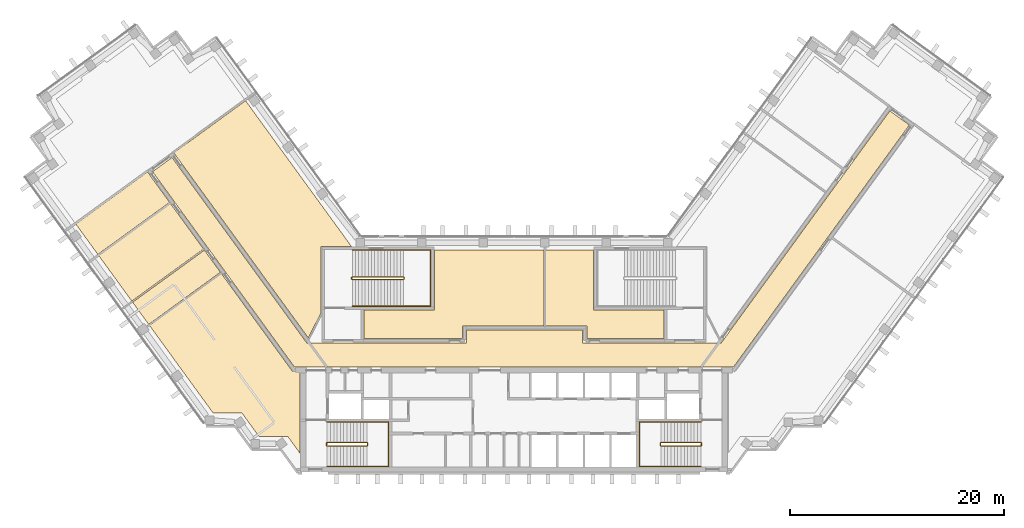
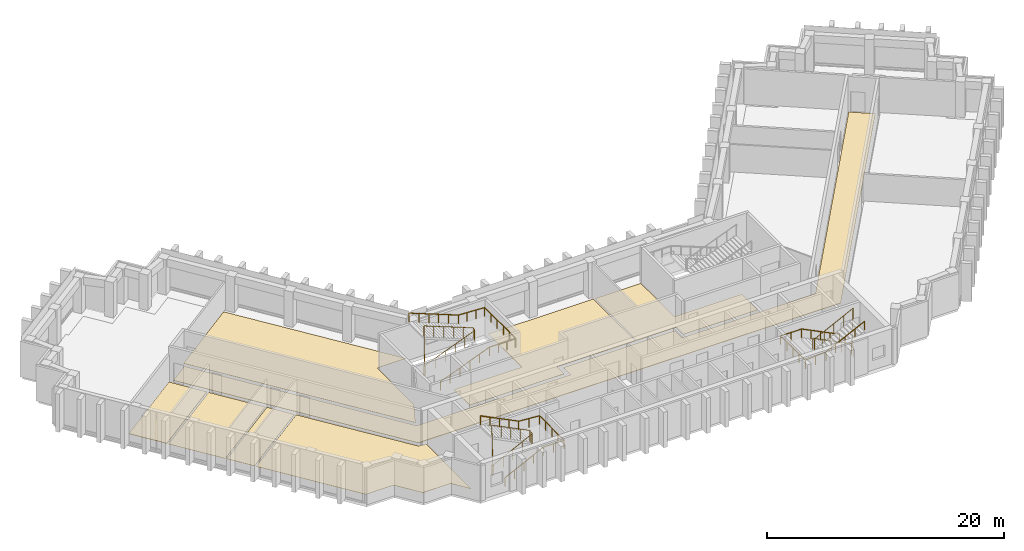
# One storey, part 9 of 10: 8 coverings, 6 railings.
"""IFC4 building model written with IfcOpenShell, lengths in metres."""

import ifcopenshell
import ifcopenshell.guid

model = None  # the IFC model being written
_history = None  # IfcOwnerHistory: only IFC2X3 demands one
_inside = {}  # id of a spatial element -> (the spatial element, [elements in it])
_under = {}  # id of a project, library or spatial element -> (it, [spatial elements below it])
_declared = {}  # id of a project -> (the project, [libraries it declares])
_typed = {}  # id of a type object -> (the type object, [elements of that type])
_made_of = {}  # id of a material, layer set ... -> (it, [elements and type objects made of it])


def new_model(schema):
    """Start an empty IFC model of exactly this schema.

    Asked for "IFC4X3", IfcOpenShell would pick the latest addendum, in which some entities
    have other attributes; the version numbers below select the first issue.
    IFC2X3 requires an IfcOwnerHistory on every rooted entity: one is made here for all.
    """
    global model, _history
    if schema == "IFC4X3":
        model = ifcopenshell.file(schema_version=(4, 3, 0, 0))
    else:
        model = ifcopenshell.file(schema=schema)
    _inside.clear()
    _under.clear()
    _declared.clear()
    _typed.clear()
    _made_of.clear()
    _history = None
    if model.schema == "IFC2X3":
        org = make("IfcOrganization", Name="unknown")
        user = make(
            "IfcPersonAndOrganization",
            ThePerson=make("IfcPerson", FamilyName="unknown"),
            TheOrganization=org,
        )
        app = make(
            "IfcApplication",
            ApplicationDeveloper=org,
            Version="unknown",
            ApplicationFullName="unknown",
            ApplicationIdentifier="unknown",
        )
        _history = make(
            "IfcOwnerHistory",
            OwningUser=user,
            OwningApplication=app,
            ChangeAction="ADDED",
            CreationDate=0,
        )
    return model


def make(cls, **values):
    """One entity of the class cls with the attributes given. An attribute that is None is left unset."""
    return model.create_entity(
        cls, **{name: value for name, value in values.items() if value is not None}
    )


def rooted(cls, **values):
    """An entity with a GlobalId (a new one), such as an element, a storey or a relation."""
    return make(cls, GlobalId=ifcopenshell.guid.new(), OwnerHistory=_history, **values)


def si_unit(unit_type, name, prefix=None):
    """IfcSIUnit, for example si_unit("LENGTHUNIT", "METRE", prefix="MILLI")."""
    return make("IfcSIUnit", UnitType=unit_type, Prefix=prefix, Name=name)


def assignment(units):
    """IfcUnitAssignment: the units of a project."""
    return None if units is None else make("IfcUnitAssignment", Units=units)


def point(xyz):
    """IfcCartesianPoint."""
    return None if xyz is None else make("IfcCartesianPoint", Coordinates=xyz)


def direction(xyz):
    """IfcDirection."""
    return None if xyz is None else make("IfcDirection", DirectionRatios=xyz)


def frame(location, z_axis=None, x_axis=None):
    """IfcAxis2Placement3D, a coordinate frame: its origin and axes. An axis left out is left unset."""
    return make(
        "IfcAxis2Placement3D",
        Location=point(location),
        Axis=direction(z_axis),
        RefDirection=direction(x_axis),
    )


def frame_2d(location, x_axis=None):
    """IfcAxis2Placement2D, a coordinate frame in the plane: its origin and x axis."""
    return make(
        "IfcAxis2Placement2D", Location=point(location), RefDirection=direction(x_axis)
    )


def origin():
    """The frame at (0, 0, 0) with its axes left unset."""
    return frame((0.0, 0.0, 0.0))


def origin_2d():
    """The frame at (0, 0) in the plane with its x axis left unset."""
    return frame_2d((0.0, 0.0))


def place(relative_to, where):
    """IfcLocalPlacement: puts the frame where relative to a parent placement (None: the world)."""
    return make(
        "IfcLocalPlacement", PlacementRelTo=relative_to, RelativePlacement=where
    )


def context(
    kind, dimensions, precision=None, world=None, true_north=None, identifier=None
):
    """IfcGeometricRepresentationContext, for example the 3D "Model" context."""
    return make(
        "IfcGeometricRepresentationContext",
        ContextIdentifier=identifier,
        ContextType=kind,
        CoordinateSpaceDimension=dimensions,
        Precision=precision,
        WorldCoordinateSystem=world,
        TrueNorth=true_north,
    )


def subcontext(parent, identifier, kind, view, scale=None):
    """IfcGeometricRepresentationSubContext, for example "Body" below "Model"."""
    return make(
        "IfcGeometricRepresentationSubContext",
        ContextIdentifier=identifier,
        ContextType=kind,
        ParentContext=parent,
        TargetScale=scale,
        TargetView=view,
    )


def project(units=None, contexts=None):
    """IfcProject with its units and contexts."""
    return rooted(
        "IfcProject",
        Name="project",
        RepresentationContexts=contexts,
        UnitsInContext=assignment(units),
    )


def spatial(cls, under=None, at=None, **own):
    """A site, building, storey or space (cls), placed at a placement, below another one or the project."""
    s = rooted(cls, ObjectPlacement=at, **own)
    if under is not None:
        _under.setdefault(under.id(), (under, []))[1].append(s)
    return s


def polyline(points):
    """IfcPolyline through the points."""
    return make("IfcPolyline", Points=[point(p) for p in points])


def profile(cls, at=None, kind="AREA", **sizes):
    """A parametric profile (cls). Its sizes go by their IFC names, for example OverallWidth=200.0."""
    return make(cls, ProfileType=kind, Position=at, **sizes)


def circle(**sizes):
    """IfcCircleProfileDef."""
    return profile("IfcCircleProfileDef", **sizes)


def outline(outer, holes=None, kind="AREA"):
    """IfcArbitraryClosedProfileDef: a profile drawn as a closed curve; with holes, ...WithVoids."""
    if holes is None:
        return make("IfcArbitraryClosedProfileDef", ProfileType=kind, OuterCurve=outer)
    return make(
        "IfcArbitraryProfileDefWithVoids",
        ProfileType=kind,
        OuterCurve=outer,
        InnerCurves=holes,
    )


def extrude(swept, where, along, depth):
    """IfcExtrudedAreaSolid: the profile swept, set in the frame where, extruded along a direction by depth."""
    return make(
        "IfcExtrudedAreaSolid",
        SweptArea=swept,
        Position=where,
        ExtrudedDirection=direction(along),
        Depth=depth,
    )


def shape(context_of_items, identifier, shape_type, items):
    """IfcShapeRepresentation: the items that make up one representation, for example the "Body"."""
    return make(
        "IfcShapeRepresentation",
        ContextOfItems=context_of_items,
        RepresentationIdentifier=identifier,
        RepresentationType=shape_type,
        Items=items,
    )


def material(Name=None, Category=None):
    """IfcMaterial."""
    return make("IfcMaterial", Name=Name, Category=Category)


def layer(
    of_material, thickness, ventilated=None, Name=None, Category=None, Priority=None
):
    """IfcMaterialLayer: one layer of a wall or slab, of a material (None: an air gap)."""
    return make(
        "IfcMaterialLayer",
        Material=of_material,
        LayerThickness=thickness,
        IsVentilated=ventilated,
        Name=Name,
        Category=Category,
        Priority=Priority,
    )


def layer_set(layers, Name=None):
    """IfcMaterialLayerSet."""
    return make("IfcMaterialLayerSet", MaterialLayers=layers, LayerSetName=Name)


def made_of(thing, what):
    """Note that an element or type object is made of a material, layer set ...; save() writes the relation."""
    if what is not None:
        _made_of.setdefault(what.id(), (what, []))[1].append(thing)
    return thing


def type_object(cls, material=None, **own):
    """A type object (cls), such as IfcWallType, which elements share."""
    return made_of(rooted(cls, **own), material)


def element(
    cls,
    number,
    at=None,
    inside=None,
    cuts=None,
    type_object=None,
    material=None,
    context=None,
    identifier="Body",
    shape_type=None,
    held_by="IfcProductDefinitionShape",
    body=None,
    shapes=None,
    **own,
):
    """One element of the class cls, such as IfcWall. Its Tag is "e" and its number.

    at: its placement. inside: the storey or other place that contains it. cuts: it is an
    opening in that element (IfcRelVoidsElement). A single representation is given by context,
    identifier, shape_type and body (its items); several are given by shapes. held_by: the class
    of the entity that holds the representations. save() writes the other relations.
    """
    e = rooted(cls, Tag="e%d" % number, ObjectPlacement=at, **own)
    if body is not None:
        shapes = [shape(context, identifier, shape_type, body)]
    if shapes is not None:
        e.Representation = make(held_by, Representations=shapes)
    if inside is not None:
        _inside.setdefault(inside.id(), (inside, []))[1].append(e)
    if cuts is not None:
        rooted(
            "IfcRelVoidsElement", RelatingBuildingElement=cuts, RelatedOpeningElement=e
        )
    if type_object is not None:
        _typed.setdefault(type_object.id(), (type_object, []))[1].append(e)
    return made_of(e, material)


def aggregate(whole, parts):
    """IfcRelAggregates: a whole, such as a stair, and the parts it consists of."""
    return rooted("IfcRelAggregates", RelatingObject=whole, RelatedObjects=parts)


def save(model, path):
    """Write the relations noted so far, then the file.

    IfcRelAggregates (storeys below a building ...), IfcRelContainedInSpatialStructure (elements
    in a storey), IfcRelDefinesByType, IfcRelAssociatesMaterial and IfcRelDeclares: one each for
    every whole, place, type object, material and project.
    """
    for whole, parts in _under.values():
        aggregate(whole, parts)
    for where, things in _inside.values():
        rooted(
            "IfcRelContainedInSpatialStructure",
            RelatedElements=things,
            RelatingStructure=where,
        )
    for kind, things in _typed.values():
        rooted("IfcRelDefinesByType", RelatedObjects=things, RelatingType=kind)
    for what, things in _made_of.values():
        rooted("IfcRelAssociatesMaterial", RelatedObjects=things, RelatingMaterial=what)
    for by, libraries in _declared.values():
        rooted("IfcRelDeclares", RelatingContext=by, RelatedDefinitions=libraries)
    model.write(path)


model = new_model("IFC4")

# Units and contexts
model_context = context("Model", 3, precision=1e-05, world=origin(), true_north=direction((0.0, 1.0)))
body_context = subcontext(model_context, "Body", "Model", "MODEL_VIEW")
ifc_project = project(units=[si_unit("LENGTHUNIT", "METRE"), si_unit("AREAUNIT", "SQUARE_METRE"), si_unit("VOLUMEUNIT", "CUBIC_METRE"), si_unit("PLANEANGLEUNIT", "RADIAN"), si_unit("MASSUNIT", "GRAM", prefix="KILO")], contexts=[model_context])

# Site, building, storey
site_placement = place(None, origin())
site = spatial("IfcSite", under=ifc_project, at=site_placement, CompositionType="ELEMENT")
building_placement = place(site_placement, origin())
building = spatial("IfcBuilding", under=site, at=building_placement, Name="Quipu Civic Tower", CompositionType="ELEMENT")
storey_placement = place(building_placement, frame((0.0, 0.0, 168.0)))
storey = spatial("IfcBuildingStorey", under=building, at=storey_placement, Name="L39", CompositionType="ELEMENT", Elevation=168.0)

# Coverings
ifc_material_1 = material(Name="Carpet tile on raised access floor")
ifc_layer_1 = layer(ifc_material_1, 0.02001953125)
ifc_layer_set_1 = layer_set([ifc_layer_1], Name="Carpet tile on raised access floor")
covering_type_1 = type_object("IfcCoveringType", Name="Carpet tile floor finish 20", PredefinedType="FLOORING", material=ifc_layer_set_1)
covering_1_placement = place(storey_placement, origin())
element("IfcCovering", 1, at=covering_1_placement, inside=storey, type_object=covering_type_1, Name="Carpet tile floor finish 20", PredefinedType="FLOORING", context=body_context, shape_type="SweptSolid", body=[
    extrude(outline(polyline([(2.948974609375, 2.719970703125), (2.948974609375, 9.830078125), (7.429931640625, 9.830078125), (7.430908203125, 4.179931640625), (14.030029296875, 4.179931640625), (14.030029296875, 1.52001953125), (6.820068359375, 1.52001953125), (6.819091796875, 2.719970703125), (2.948974609375, 2.719970703125)])), origin(), (0.0, 0.0, 1.0), 0.02001953125),
])
covering_2_placement = place(storey_placement, origin())
element("IfcCovering", 2, at=covering_2_placement, inside=storey, type_object=covering_type_1, Name="Carpet tile floor finish 20", PredefinedType="FLOORING", context=body_context, shape_type="SweptSolid", body=[
    extrude(outline(polyline([(-38.89990234375, 9.291015625), (-32.177001953125, 14.174072265625), (-29.0859375, 9.9189453125), (-35.80908203125, 5.034912109375), (-38.89990234375, 9.291015625)])), origin(), (0.0, 0.0, 1.0), 0.02001953125),
])
covering_3_placement = place(storey_placement, origin())
element("IfcCovering", 3, at=covering_3_placement, inside=storey, type_object=covering_type_1, Name="Carpet tile floor finish 20", PredefinedType="FLOORING", context=body_context, shape_type="SweptSolid", body=[
    extrude(outline(polyline([(-14.030029296875, 1.52001953125), (-14.030029296875, 4.179931640625), (-7.429931640625, 4.180908203125), (-7.429931640625, 9.830078125), (2.80908203125, 9.830078125), (2.80908203125, 2.719970703125), (-4.818115234375, 2.719970703125), (-4.820068359375, 1.52001953125), (-14.030029296875, 1.52001953125)])), origin(), (0.0, 0.0, 1.0), 0.02001953125),
])
covering_4_placement = place(storey_placement, origin())
element("IfcCovering", 4, at=covering_4_placement, inside=storey, type_object=covering_type_1, Name="Carpet tile floor finish 20", PredefinedType="FLOORING", context=body_context, shape_type="SweptSolid", body=[
    extrude(outline(polyline([(-31.865966796875, 18.9189453125), (-25.14306640625, 23.802978515625), (-15.238037109375, 10.169921875), (-18.070068359375, 10.1689453125), (-18.070068359375, 3.94189453125), (-19.27197265625, 1.583984375), (-31.865966796875, 18.9189453125)])), origin(), (0.0, 0.0, 1.0), 0.02001953125),
])
covering_5_placement = place(storey_placement, origin())
element("IfcCovering", 5, at=covering_5_placement, inside=storey, type_object=covering_type_1, Name="Carpet tile floor finish 20", PredefinedType="FLOORING", context=body_context, shape_type="SweptSolid", body=[
    extrude(outline(polyline([(-34.138916015625, 2.738037109375), (-27.416015625, 7.62109375), (-20.77490234375, -1.51904296875), (-20.070068359375, -1.52001953125), (-20.070068359375, -9.195068359375), (-21.196044921875, -7.64599609375), (-23.89501953125, -7.64599609375), (-25.48193359375, -5.4619140625), (-28.181884765625, -5.4609375), (-34.138916015625, 2.738037109375)])), origin(), (0.0, 0.0, 1.0), 0.02001953125),
])
ifc_material_2 = material(Name="Ceramic floor tile")
ifc_layer_2 = layer(ifc_material_2, 0.030029296875)
ifc_layer_set_2 = layer_set([ifc_layer_2], Name="Ceramic floor tile")
covering_type_2 = type_object("IfcCoveringType", Name="Ceramic tile floor finish 30", PredefinedType="FLOORING", material=ifc_layer_set_2)
covering_6_placement = place(storey_placement, origin())
element("IfcCovering", 6, at=covering_6_placement, inside=storey, type_object=covering_type_2, Name="Ceramic tile floor finish 30", PredefinedType="FLOORING", context=body_context, shape_type="SweptSolid", body=[
    extrude(outline(polyline([(-35.72607421875, 4.922119140625), (-29.0029296875, 9.805908203125), (-27.4990234375, 7.73388671875), (-34.221923828125, 2.85107421875), (-35.72607421875, 4.922119140625)])), origin(), (0.0, 0.0, 1.0), 0.030029296875),
])
ifc_material_3 = material(Name="Sealed cement screed")
ifc_layer_3 = layer(ifc_material_3, 0.050048828125)
ifc_layer_set_3 = layer_set([ifc_layer_3], Name="Sealed cement screed")
covering_type_3 = type_object("IfcCoveringType", Name="Sealed screed floor finish 50", PredefinedType="FLOORING", material=ifc_layer_set_3)
covering_7_placement = place(storey_placement, origin())
element("IfcCovering", 7, at=covering_7_placement, inside=storey, type_object=covering_type_3, Name="Sealed screed floor finish 50", PredefinedType="FLOORING", context=body_context, shape_type="SweptSolid", body=[
    extrude(outline(polyline([(-41.048095703125, 12.2470703125), (-34.324951171875, 17.131103515625), (-32.260009765625, 14.287109375), (-38.98291015625, 9.404052734375), (-41.048095703125, 12.2470703125)])), origin(), (0.0, 0.0, 1.0), 0.050048828125),
])

# Railings
ifc_material_4 = material(Name="Stainless steel", Category="steel")
railing_type_1 = type_object("IfcRailingType", Name="Stair guard 1100", PredefinedType="GUARDRAIL", material=ifc_material_4)
railing_1_placement = place(storey_placement, frame((-17.5, -8.550048828125, 0.15380859375)))
element("IfcRailing", 8, at=railing_1_placement, inside=storey, type_object=railing_type_1, Name="Stair 1 guard", PredefinedType="GUARDRAIL", context=body_context, shape_type="SweptSolid", body=[
    extrude(circle(Radius=0.02392578125, at=origin_2d()), frame((0.0, 0.0, 1.076171875), z_axis=(0.895751851347, 0.0, 0.444554407028), x_axis=(0.0, 1.0, 0.0)), (0.0, 0.0, 1.0), 4.15283203125),
    extrude(circle(Radius=0.02392578125, at=origin_2d()), frame((3.719970703125, 0.0, 2.92236328125), z_axis=(0.707106781187, 0.707106781187, 0.0), x_axis=(-0.707106781187, 0.707106781187, 0.0)), (0.0, 0.0, 1.0), 0.07080078125),
    extrude(circle(Radius=0.02392578125, at=origin_2d()), frame((3.77001953125, 0.050048828125, 2.92236328125), z_axis=(0.0, 1.0, 0.0), x_axis=(-1.0, 0.0, 0.0)), (0.0, 0.0, 1.0), 0.25),
    extrude(circle(Radius=0.02392578125, at=origin_2d()), frame((3.77001953125, 0.300048828125, 2.92236328125), z_axis=(-0.295599637079, 0.295599637079, 0.908428152975), x_axis=(-0.707106781187, -0.707106781187, 0.0)), (0.0, 0.0, 1.0), 0.16943359375),
    extrude(circle(Radius=0.02392578125, at=origin_2d()), frame((3.719970703125, 0.35009765625, 3.076171875), z_axis=(-0.895751851347, 0.0, 0.444554407028), x_axis=(0.0, -1.0, 0.0)), (0.0, 0.0, 1.0), 4.15283203125),
    extrude(circle(Radius=0.02392578125, at=origin_2d()), frame((0.0, 0.35009765625, 4.92236328125), z_axis=(-0.012476181752, -0.074796231092, -0.997120789425), x_axis=(0.986372223864, -0.164529134168, 0.0)), (0.0, 0.0, 1.0), 4.011474609375),
    extrude(circle(Radius=0.02392578125, at=origin_2d()), frame((-0.050048828125, 0.050048828125, 0.92236328125), z_axis=(0.0, 1.0, 0.0), x_axis=(-1.0, 0.0, 0.0)), (0.0, 0.0, 1.0), 0.25),
    extrude(circle(Radius=0.02099609375, at=origin_2d()), origin(), (0.0, 0.0, 1.0), 1.052001953125),
    extrude(circle(Radius=0.02099609375, at=origin_2d()), frame((0.929931640625, 0.0, 0.46142578125)), (0.0, 0.0, 1.0), 1.052001953125),
    extrude(circle(Radius=0.02099609375, at=origin_2d()), frame((1.85986328125, 0.0, 0.923095703125)), (0.0, 0.0, 1.0), 1.052001953125),
    extrude(circle(Radius=0.02099609375, at=origin_2d()), frame((2.7900390625, 0.0, 1.384765625)), (0.0, 0.0, 1.0), 1.052001953125),
    extrude(circle(Radius=0.02099609375, at=origin_2d()), frame((3.719970703125, 0.0, 1.84619140625)), (0.0, 0.0, 1.0), 1.052001953125),
    extrude(circle(Radius=0.02099609375, at=origin_2d()), frame((3.77001953125, 0.050048828125, 1.84619140625)), (0.0, 0.0, 1.0), 1.052001953125),
    extrude(circle(Radius=0.02099609375, at=origin_2d()), frame((3.77001953125, 0.300048828125, 1.84619140625)), (0.0, 0.0, 1.0), 1.052001953125),
    extrude(circle(Radius=0.02099609375, at=origin_2d()), frame((3.719970703125, 0.35009765625, 2.0)), (0.0, 0.0, 1.0), 1.052001953125),
    extrude(circle(Radius=0.02099609375, at=origin_2d()), frame((2.7900390625, 0.35009765625, 2.46142578125)), (0.0, 0.0, 1.0), 1.052001953125),
    extrude(circle(Radius=0.02099609375, at=origin_2d()), frame((1.85986328125, 0.35009765625, 2.923095703125)), (0.0, 0.0, 1.0), 1.052001953125),
    extrude(circle(Radius=0.02099609375, at=origin_2d()), frame((0.929931640625, 0.35009765625, 3.384765625)), (0.0, 0.0, 1.0), 1.052001953125),
    extrude(circle(Radius=0.02099609375, at=origin_2d()), frame((0.0, 0.35009765625, 3.84619140625)), (0.0, 0.0, 1.0), 1.052001953125),
    extrude(circle(Radius=0.02099609375, at=origin_2d()), frame((-0.012451171875, 0.275146484375, 2.84619140625)), (0.0, 0.0, 1.0), 1.052001953125),
    extrude(circle(Radius=0.02099609375, at=origin_2d()), frame((-0.02490234375, 0.2001953125, 1.84619140625)), (0.0, 0.0, 1.0), 1.052001953125),
    extrude(circle(Radius=0.02099609375, at=origin_2d()), frame((-0.03759765625, 0.125, 0.84619140625)), (0.0, 0.0, 1.0), 1.052001953125),
    extrude(circle(Radius=0.02099609375, at=origin_2d()), frame((-0.050048828125, 0.050048828125, -0.15380859375)), (0.0, 0.0, 1.0), 1.052001953125),
    extrude(circle(Radius=0.02099609375, at=origin_2d()), frame((-0.050048828125, 0.300048828125, -0.15380859375)), (0.0, 0.0, 1.0), 1.052001953125),
])
railing_2_placement = place(storey_placement, frame((17.5, -8.199951171875, 0.15380859375)))
element("IfcRailing", 9, at=railing_2_placement, inside=storey, type_object=railing_type_1, Name="Stair 2 guard", PredefinedType="GUARDRAIL", context=body_context, shape_type="SweptSolid", body=[
    extrude(circle(Radius=0.02392578125, at=origin_2d()), frame((0.0, 0.0, 1.076171875), z_axis=(-0.895751851347, 0.0, 0.444554407028), x_axis=(0.0, -1.0, 0.0)), (0.0, 0.0, 1.0), 4.15283203125),
    extrude(circle(Radius=0.02392578125, at=origin_2d()), frame((-3.719970703125, 0.0, 2.92236328125), z_axis=(-0.707106781187, -0.707106781187, 0.0), x_axis=(0.707106781187, -0.707106781187, 0.0)), (0.0, 0.0, 1.0), 0.07080078125),
    extrude(circle(Radius=0.02392578125, at=origin_2d()), frame((-3.77001953125, -0.050048828125, 2.92236328125), z_axis=(0.0, -1.0, 0.0), x_axis=(1.0, 0.0, 0.0)), (0.0, 0.0, 1.0), 0.25),
    extrude(circle(Radius=0.02392578125, at=origin_2d()), frame((-3.77001953125, -0.300048828125, 2.92236328125), z_axis=(0.295599637079, -0.295599637079, 0.908428152975), x_axis=(0.707106781187, 0.707106781187, 0.0)), (0.0, 0.0, 1.0), 0.16943359375),
    extrude(circle(Radius=0.02392578125, at=origin_2d()), frame((-3.719970703125, -0.35009765625, 3.076171875), z_axis=(0.895751851347, 0.0, 0.444554407028), x_axis=(0.0, 1.0, 0.0)), (0.0, 0.0, 1.0), 4.15283203125),
    extrude(circle(Radius=0.02392578125, at=origin_2d()), frame((0.0, -0.35009765625, 4.92236328125), z_axis=(0.012476181752, 0.074796231092, -0.997120789425), x_axis=(-0.986372223864, 0.164529134168, 0.0)), (0.0, 0.0, 1.0), 4.011474609375),
    extrude(circle(Radius=0.02392578125, at=origin_2d()), frame((0.050048828125, -0.050048828125, 0.92236328125), z_axis=(0.0, -1.0, 0.0), x_axis=(1.0, 0.0, 0.0)), (0.0, 0.0, 1.0), 0.25),
    extrude(circle(Radius=0.02099609375, at=origin_2d()), origin(), (0.0, 0.0, 1.0), 1.052001953125),
    extrude(circle(Radius=0.02099609375, at=origin_2d()), frame((-0.929931640625, 0.0, 0.46142578125)), (0.0, 0.0, 1.0), 1.052001953125),
    extrude(circle(Radius=0.02099609375, at=origin_2d()), frame((-1.85986328125, 0.0, 0.923095703125)), (0.0, 0.0, 1.0), 1.052001953125),
    extrude(circle(Radius=0.02099609375, at=origin_2d()), frame((-2.7900390625, 0.0, 1.384765625)), (0.0, 0.0, 1.0), 1.052001953125),
    extrude(circle(Radius=0.02099609375, at=origin_2d()), frame((-3.719970703125, 0.0, 1.84619140625)), (0.0, 0.0, 1.0), 1.052001953125),
    extrude(circle(Radius=0.02099609375, at=origin_2d()), frame((-3.77001953125, -0.050048828125, 1.84619140625)), (0.0, 0.0, 1.0), 1.052001953125),
    extrude(circle(Radius=0.02099609375, at=origin_2d()), frame((-3.77001953125, -0.300048828125, 1.84619140625)), (0.0, 0.0, 1.0), 1.052001953125),
    extrude(circle(Radius=0.02099609375, at=origin_2d()), frame((-3.719970703125, -0.35009765625, 2.0)), (0.0, 0.0, 1.0), 1.052001953125),
    extrude(circle(Radius=0.02099609375, at=origin_2d()), frame((-2.7900390625, -0.35009765625, 2.46142578125)), (0.0, 0.0, 1.0), 1.052001953125),
    extrude(circle(Radius=0.02099609375, at=origin_2d()), frame((-1.85986328125, -0.35009765625, 2.923095703125)), (0.0, 0.0, 1.0), 1.052001953125),
    extrude(circle(Radius=0.02099609375, at=origin_2d()), frame((-0.929931640625, -0.35009765625, 3.384765625)), (0.0, 0.0, 1.0), 1.052001953125),
    extrude(circle(Radius=0.02099609375, at=origin_2d()), frame((0.0, -0.35009765625, 3.84619140625)), (0.0, 0.0, 1.0), 1.052001953125),
    extrude(circle(Radius=0.02099609375, at=origin_2d()), frame((0.012451171875, -0.275146484375, 2.84619140625)), (0.0, 0.0, 1.0), 1.052001953125),
    extrude(circle(Radius=0.02099609375, at=origin_2d()), frame((0.02490234375, -0.2001953125, 1.84619140625)), (0.0, 0.0, 1.0), 1.052001953125),
    extrude(circle(Radius=0.02099609375, at=origin_2d()), frame((0.03759765625, -0.125, 0.84619140625)), (0.0, 0.0, 1.0), 1.052001953125),
    extrude(circle(Radius=0.02099609375, at=origin_2d()), frame((0.050048828125, -0.050048828125, -0.15380859375)), (0.0, 0.0, 1.0), 1.052001953125),
    extrude(circle(Radius=0.02099609375, at=origin_2d()), frame((0.050048828125, -0.300048828125, -0.15380859375)), (0.0, 0.0, 1.0), 1.052001953125),
])
railing_3_placement = place(storey_placement, frame((-15.14990234375, 7.050048828125, 0.11767578125)))
element("IfcRailing", 10, at=railing_3_placement, inside=storey, type_object=railing_type_1, Name="Stair 3 guard", PredefinedType="GUARDRAIL", context=body_context, shape_type="SweptSolid", body=[
    extrude(circle(Radius=0.02392578125, at=origin_2d()), frame((0.0, 0.0, 1.076171875), z_axis=(0.930970042603, 0.0, 0.365095576219), x_axis=(0.0, 1.0, 0.0)), (0.0, 0.0, 1.0), 5.15576171875),
    extrude(circle(Radius=0.02392578125, at=origin_2d()), frame((4.7998046875, 0.0, 2.95849609375), z_axis=(0.707106781187, 0.707106781187, 0.0), x_axis=(-0.707106781187, 0.707106781187, 0.0)), (0.0, 0.0, 1.0), 0.07080078125),
    extrude(circle(Radius=0.02392578125, at=origin_2d()), frame((4.849853515625, 0.050048828125, 2.95849609375), z_axis=(0.0, 1.0, 0.0), x_axis=(-1.0, 0.0, 0.0)), (0.0, 0.0, 1.0), 0.14990234375),
    extrude(circle(Radius=0.02392578125, at=origin_2d()), frame((4.849853515625, 0.199951171875, 2.95849609375), z_axis=(-0.364463019033, 0.364463019033, 0.856932561824), x_axis=(-0.707106781187, -0.707106781187, 0.0)), (0.0, 0.0, 1.0), 0.13720703125),
    extrude(circle(Radius=0.02392578125, at=origin_2d()), frame((4.7998046875, 0.25, 3.076171875), z_axis=(-0.930970042603, 0.0, 0.365095576219), x_axis=(0.0, -1.0, 0.0)), (0.0, 0.0, 1.0), 5.15576171875),
    extrude(circle(Radius=0.02392578125, at=origin_2d()), frame((0.0, 0.25, 4.95849609375), z_axis=(-0.012495627992, -0.049921557685, -0.998674970829), x_axis=(0.970072785993, -0.242814311512, 0.0)), (0.0, 0.0, 1.0), 4.00537109375),
    extrude(circle(Radius=0.02392578125, at=origin_2d()), frame((-0.050048828125, 0.050048828125, 0.95849609375), z_axis=(0.0, 1.0, 0.0), x_axis=(-1.0, 0.0, 0.0)), (0.0, 0.0, 1.0), 0.14990234375),
    extrude(circle(Radius=0.02099609375, at=origin_2d()), origin(), (0.0, 0.0, 1.0), 1.052001953125),
    extrude(circle(Radius=0.02099609375, at=origin_2d()), frame((0.9599609375, 0.0, 0.37646484375)), (0.0, 0.0, 1.0), 1.052001953125),
    extrude(circle(Radius=0.02099609375, at=origin_2d()), frame((1.919921875, 0.0, 0.7529296875)), (0.0, 0.0, 1.0), 1.052001953125),
    extrude(circle(Radius=0.02099609375, at=origin_2d()), frame((2.8798828125, 0.0, 1.12939453125)), (0.0, 0.0, 1.0), 1.052001953125),
    extrude(circle(Radius=0.02099609375, at=origin_2d()), frame((3.83984375, 0.0, 1.505859375)), (0.0, 0.0, 1.0), 1.052001953125),
    extrude(circle(Radius=0.02099609375, at=origin_2d()), frame((4.7998046875, 0.0, 1.88232421875)), (0.0, 0.0, 1.0), 1.052001953125),
    extrude(circle(Radius=0.02099609375, at=origin_2d()), frame((4.849853515625, 0.050048828125, 1.88232421875)), (0.0, 0.0, 1.0), 1.052001953125),
    extrude(circle(Radius=0.02099609375, at=origin_2d()), frame((4.849853515625, 0.199951171875, 1.88232421875)), (0.0, 0.0, 1.0), 1.052001953125),
    extrude(circle(Radius=0.02099609375, at=origin_2d()), frame((4.7998046875, 0.25, 2.0)), (0.0, 0.0, 1.0), 1.052001953125),
    extrude(circle(Radius=0.02099609375, at=origin_2d()), frame((3.83984375, 0.25, 2.37646484375)), (0.0, 0.0, 1.0), 1.052001953125),
    extrude(circle(Radius=0.02099609375, at=origin_2d()), frame((2.8798828125, 0.25, 2.7529296875)), (0.0, 0.0, 1.0), 1.052001953125),
    extrude(circle(Radius=0.02099609375, at=origin_2d()), frame((1.919921875, 0.25, 3.12939453125)), (0.0, 0.0, 1.0), 1.052001953125),
    extrude(circle(Radius=0.02099609375, at=origin_2d()), frame((0.9599609375, 0.25, 3.505859375)), (0.0, 0.0, 1.0), 1.052001953125),
    extrude(circle(Radius=0.02099609375, at=origin_2d()), frame((0.0, 0.25, 3.88232421875)), (0.0, 0.0, 1.0), 1.052001953125),
    extrude(circle(Radius=0.02099609375, at=origin_2d()), frame((-0.012451171875, 0.199951171875, 2.88232421875)), (0.0, 0.0, 1.0), 1.052001953125),
    extrude(circle(Radius=0.02099609375, at=origin_2d()), frame((-0.02490234375, 0.14990234375, 1.88232421875)), (0.0, 0.0, 1.0), 1.052001953125),
    extrude(circle(Radius=0.02099609375, at=origin_2d()), frame((-0.03759765625, 0.10009765625, 0.88232421875)), (0.0, 0.0, 1.0), 1.052001953125),
    extrude(circle(Radius=0.02099609375, at=origin_2d()), frame((-0.050048828125, 0.050048828125, -0.11767578125)), (0.0, 0.0, 1.0), 1.052001953125),
    extrude(circle(Radius=0.02099609375, at=origin_2d()), frame((-0.050048828125, 0.199951171875, -0.11767578125)), (0.0, 0.0, 1.0), 1.052001953125),
])
ifc_material_5 = material(Name="Stainless steel", Category="steel")
railing_type_2 = type_object("IfcRailingType", Name="Stair handrail", PredefinedType="HANDRAIL", material=ifc_material_5)
railing_4_placement = place(storey_placement, frame((-17.5, -10.449951171875, 0.15380859375)))
element("IfcRailing", 11, at=railing_4_placement, inside=storey, type_object=railing_type_2, Name="Stair 1 handrail", PredefinedType="HANDRAIL", context=body_context, shape_type="SweptSolid", body=[
    extrude(circle(Radius=0.02392578125, at=origin_2d()), frame((0.0, 0.0, 0.8759765625), z_axis=(0.895751851347, 0.0, 0.444554407028), x_axis=(0.0, 1.0, 0.0)), (0.0, 0.0, 1.0), 4.15283203125),
    extrude(circle(Radius=0.02392578125, at=origin_2d()), frame((3.719970703125, 0.0, 2.72216796875), z_axis=(1.0, 0.0, 0.0), x_axis=(0.0, 1.0, 0.0)), (0.0, 0.0, 1.0), 2.030029296875),
    extrude(circle(Radius=0.02392578125, at=origin_2d()), frame((5.75, 0.0, 2.72216796875), z_axis=(0.0, 1.0, 0.0), x_axis=(-1.0, 0.0, 0.0)), (0.0, 0.0, 1.0), 4.14990234375),
    extrude(circle(Radius=0.02392578125, at=origin_2d()), frame((5.75, 4.14990234375, 2.72216796875), z_axis=(-0.997142003663, 0.0, 0.075550145798), x_axis=(0.0, -1.0, 0.0)), (0.0, 0.0, 1.0), 2.035888671875),
    extrude(circle(Radius=0.02392578125, at=origin_2d()), frame((3.719970703125, 4.14990234375, 2.8759765625), z_axis=(-0.895751851347, 0.0, 0.444554407028), x_axis=(0.0, -1.0, 0.0)), (0.0, 0.0, 1.0), 4.15283203125),
    extrude(circle(Radius=0.02099609375, at=origin_2d()), origin(), (0.0, 0.0, 1.0), 0.851806640625),
    extrude(circle(Radius=0.02099609375, at=origin_2d()), frame((0.929931640625, 0.0, 0.46142578125)), (0.0, 0.0, 1.0), 0.851806640625),
    extrude(circle(Radius=0.02099609375, at=origin_2d()), frame((1.85986328125, 0.0, 0.923095703125)), (0.0, 0.0, 1.0), 0.851806640625),
    extrude(circle(Radius=0.02099609375, at=origin_2d()), frame((2.7900390625, 0.0, 1.384765625)), (0.0, 0.0, 1.0), 0.851806640625),
    extrude(circle(Radius=0.02099609375, at=origin_2d()), frame((3.719970703125, 0.0, 1.84619140625)), (0.0, 0.0, 1.0), 0.851806640625),
    extrude(circle(Radius=0.02099609375, at=origin_2d()), frame((4.73486328125, 0.0, 1.84619140625)), (0.0, 0.0, 1.0), 0.851806640625),
    extrude(circle(Radius=0.02099609375, at=origin_2d()), frame((5.75, 0.0, 1.84619140625)), (0.0, 0.0, 1.0), 0.851806640625),
    extrude(circle(Radius=0.02099609375, at=origin_2d()), frame((5.75, 1.03759765625, 1.84619140625)), (0.0, 0.0, 1.0), 0.851806640625),
    extrude(circle(Radius=0.02099609375, at=origin_2d()), frame((5.75, 2.074951171875, 1.84619140625)), (0.0, 0.0, 1.0), 0.851806640625),
    extrude(circle(Radius=0.02099609375, at=origin_2d()), frame((5.75, 3.1123046875, 1.84619140625)), (0.0, 0.0, 1.0), 0.851806640625),
    extrude(circle(Radius=0.02099609375, at=origin_2d()), frame((5.75, 4.14990234375, 1.84619140625)), (0.0, 0.0, 1.0), 0.851806640625),
    extrude(circle(Radius=0.02099609375, at=origin_2d()), frame((4.73486328125, 4.14990234375, 1.923095703125)), (0.0, 0.0, 1.0), 0.851806640625),
    extrude(circle(Radius=0.02099609375, at=origin_2d()), frame((3.719970703125, 4.14990234375, 2.0)), (0.0, 0.0, 1.0), 0.851806640625),
    extrude(circle(Radius=0.02099609375, at=origin_2d()), frame((2.7900390625, 4.14990234375, 2.46142578125)), (0.0, 0.0, 1.0), 0.851806640625),
    extrude(circle(Radius=0.02099609375, at=origin_2d()), frame((1.85986328125, 4.14990234375, 2.923095703125)), (0.0, 0.0, 1.0), 0.851806640625),
    extrude(circle(Radius=0.02099609375, at=origin_2d()), frame((0.929931640625, 4.14990234375, 3.384765625)), (0.0, 0.0, 1.0), 0.851806640625),
    extrude(circle(Radius=0.02099609375, at=origin_2d()), frame((0.0, 4.14990234375, 3.84619140625)), (0.0, 0.0, 1.0), 0.851806640625),
])
railing_5_placement = place(storey_placement, frame((17.5, -6.300048828125, 0.15380859375)))
element("IfcRailing", 12, at=railing_5_placement, inside=storey, type_object=railing_type_2, Name="Stair 2 handrail", PredefinedType="HANDRAIL", context=body_context, shape_type="SweptSolid", body=[
    extrude(circle(Radius=0.02392578125, at=origin_2d()), frame((0.0, 0.0, 0.8759765625), z_axis=(-0.895751851347, 0.0, 0.444554407028), x_axis=(0.0, -1.0, 0.0)), (0.0, 0.0, 1.0), 4.15283203125),
    extrude(circle(Radius=0.02392578125, at=origin_2d()), frame((-3.719970703125, 0.0, 2.72216796875), z_axis=(-1.0, 0.0, 0.0), x_axis=(0.0, -1.0, 0.0)), (0.0, 0.0, 1.0), 2.030029296875),
    extrude(circle(Radius=0.02392578125, at=origin_2d()), frame((-5.75, 0.0, 2.72216796875), z_axis=(0.0, -1.0, 0.0), x_axis=(1.0, 0.0, 0.0)), (0.0, 0.0, 1.0), 4.14990234375),
    extrude(circle(Radius=0.02392578125, at=origin_2d()), frame((-5.75, -4.14990234375, 2.72216796875), z_axis=(0.997142003663, 0.0, 0.075550145798), x_axis=(0.0, 1.0, 0.0)), (0.0, 0.0, 1.0), 2.035888671875),
    extrude(circle(Radius=0.02392578125, at=origin_2d()), frame((-3.719970703125, -4.14990234375, 2.8759765625), z_axis=(0.895751851347, 0.0, 0.444554407028), x_axis=(0.0, 1.0, 0.0)), (0.0, 0.0, 1.0), 4.15283203125),
    extrude(circle(Radius=0.02099609375, at=origin_2d()), origin(), (0.0, 0.0, 1.0), 0.851806640625),
    extrude(circle(Radius=0.02099609375, at=origin_2d()), frame((-0.929931640625, 0.0, 0.46142578125)), (0.0, 0.0, 1.0), 0.851806640625),
    extrude(circle(Radius=0.02099609375, at=origin_2d()), frame((-1.85986328125, 0.0, 0.923095703125)), (0.0, 0.0, 1.0), 0.851806640625),
    extrude(circle(Radius=0.02099609375, at=origin_2d()), frame((-2.7900390625, 0.0, 1.384765625)), (0.0, 0.0, 1.0), 0.851806640625),
    extrude(circle(Radius=0.02099609375, at=origin_2d()), frame((-3.719970703125, 0.0, 1.84619140625)), (0.0, 0.0, 1.0), 0.851806640625),
    extrude(circle(Radius=0.02099609375, at=origin_2d()), frame((-4.73486328125, 0.0, 1.84619140625)), (0.0, 0.0, 1.0), 0.851806640625),
    extrude(circle(Radius=0.02099609375, at=origin_2d()), frame((-5.75, 0.0, 1.84619140625)), (0.0, 0.0, 1.0), 0.851806640625),
    extrude(circle(Radius=0.02099609375, at=origin_2d()), frame((-5.75, -1.03759765625, 1.84619140625)), (0.0, 0.0, 1.0), 0.851806640625),
    extrude(circle(Radius=0.02099609375, at=origin_2d()), frame((-5.75, -2.074951171875, 1.84619140625)), (0.0, 0.0, 1.0), 0.851806640625),
    extrude(circle(Radius=0.02099609375, at=origin_2d()), frame((-5.75, -3.1123046875, 1.84619140625)), (0.0, 0.0, 1.0), 0.851806640625),
    extrude(circle(Radius=0.02099609375, at=origin_2d()), frame((-5.75, -4.14990234375, 1.84619140625)), (0.0, 0.0, 1.0), 0.851806640625),
    extrude(circle(Radius=0.02099609375, at=origin_2d()), frame((-4.73486328125, -4.14990234375, 1.923095703125)), (0.0, 0.0, 1.0), 0.851806640625),
    extrude(circle(Radius=0.02099609375, at=origin_2d()), frame((-3.719970703125, -4.14990234375, 2.0)), (0.0, 0.0, 1.0), 0.851806640625),
    extrude(circle(Radius=0.02099609375, at=origin_2d()), frame((-2.7900390625, -4.14990234375, 2.46142578125)), (0.0, 0.0, 1.0), 0.851806640625),
    extrude(circle(Radius=0.02099609375, at=origin_2d()), frame((-1.85986328125, -4.14990234375, 2.923095703125)), (0.0, 0.0, 1.0), 0.851806640625),
    extrude(circle(Radius=0.02099609375, at=origin_2d()), frame((-0.929931640625, -4.14990234375, 3.384765625)), (0.0, 0.0, 1.0), 0.851806640625),
    extrude(circle(Radius=0.02099609375, at=origin_2d()), frame((0.0, -4.14990234375, 3.84619140625)), (0.0, 0.0, 1.0), 0.851806640625),
])
railing_6_placement = place(storey_placement, frame((-15.14990234375, 4.550048828125, 0.11767578125)))
element("IfcRailing", 13, at=railing_6_placement, inside=storey, type_object=railing_type_2, Name="Stair 3 handrail", PredefinedType="HANDRAIL", context=body_context, shape_type="SweptSolid", body=[
    extrude(circle(Radius=0.02392578125, at=origin_2d()), frame((0.0, 0.0, 0.8759765625), z_axis=(0.930970042603, 0.0, 0.365095576219), x_axis=(0.0, 1.0, 0.0)), (0.0, 0.0, 1.0), 5.15576171875),
    extrude(circle(Radius=0.02392578125, at=origin_2d()), frame((4.7998046875, 0.0, 2.75830078125), z_axis=(1.0, 0.0, 0.0), x_axis=(0.0, 1.0, 0.0)), (0.0, 0.0, 1.0), 2.550048828125),
    extrude(circle(Radius=0.02392578125, at=origin_2d()), frame((7.349853515625, 0.0, 2.75830078125), z_axis=(0.0, 1.0, 0.0), x_axis=(-1.0, 0.0, 0.0)), (0.0, 0.0, 1.0), 5.25),
    extrude(circle(Radius=0.02392578125, at=origin_2d()), frame((7.349853515625, 5.25, 2.75830078125), z_axis=(-0.998936948642, 0.0, 0.04609742549), x_axis=(0.0, -1.0, 0.0)), (0.0, 0.0, 1.0), 2.552734375),
    extrude(circle(Radius=0.02392578125, at=origin_2d()), frame((4.7998046875, 5.25, 2.8759765625), z_axis=(-0.930970042603, 0.0, 0.365095576219), x_axis=(0.0, -1.0, 0.0)), (0.0, 0.0, 1.0), 5.15576171875),
    extrude(circle(Radius=0.02099609375, at=origin_2d()), origin(), (0.0, 0.0, 1.0), 0.851806640625),
    extrude(circle(Radius=0.02099609375, at=origin_2d()), frame((0.9599609375, 0.0, 0.37646484375)), (0.0, 0.0, 1.0), 0.851806640625),
    extrude(circle(Radius=0.02099609375, at=origin_2d()), frame((1.919921875, 0.0, 0.7529296875)), (0.0, 0.0, 1.0), 0.851806640625),
    extrude(circle(Radius=0.02099609375, at=origin_2d()), frame((2.8798828125, 0.0, 1.12939453125)), (0.0, 0.0, 1.0), 0.851806640625),
    extrude(circle(Radius=0.02099609375, at=origin_2d()), frame((3.83984375, 0.0, 1.505859375)), (0.0, 0.0, 1.0), 0.851806640625),
    extrude(circle(Radius=0.02099609375, at=origin_2d()), frame((4.7998046875, 0.0, 1.88232421875)), (0.0, 0.0, 1.0), 0.851806640625),
    extrude(circle(Radius=0.02099609375, at=origin_2d()), frame((5.64990234375, 0.0, 1.88232421875)), (0.0, 0.0, 1.0), 0.851806640625),
    extrude(circle(Radius=0.02099609375, at=origin_2d()), frame((6.499755859375, 0.0, 1.88232421875)), (0.0, 0.0, 1.0), 0.851806640625),
    extrude(circle(Radius=0.02099609375, at=origin_2d()), frame((7.349853515625, 0.0, 1.88232421875)), (0.0, 0.0, 1.0), 0.851806640625),
    extrude(circle(Radius=0.02099609375, at=origin_2d()), frame((7.349853515625, 1.050048828125, 1.88232421875)), (0.0, 0.0, 1.0), 0.851806640625),
    extrude(circle(Radius=0.02099609375, at=origin_2d()), frame((7.349853515625, 2.10009765625, 1.88232421875)), (0.0, 0.0, 1.0), 0.851806640625),
    extrude(circle(Radius=0.02099609375, at=origin_2d()), frame((7.349853515625, 3.14990234375, 1.88232421875)), (0.0, 0.0, 1.0), 0.851806640625),
    extrude(circle(Radius=0.02099609375, at=origin_2d()), frame((7.349853515625, 4.199951171875, 1.88232421875)), (0.0, 0.0, 1.0), 0.851806640625),
    extrude(circle(Radius=0.02099609375, at=origin_2d()), frame((7.349853515625, 5.25, 1.88232421875)), (0.0, 0.0, 1.0), 0.851806640625),
    extrude(circle(Radius=0.02099609375, at=origin_2d()), frame((6.499755859375, 5.25, 1.921630859375)), (0.0, 0.0, 1.0), 0.851806640625),
    extrude(circle(Radius=0.02099609375, at=origin_2d()), frame((5.64990234375, 5.25, 1.960693359375)), (0.0, 0.0, 1.0), 0.851806640625),
    extrude(circle(Radius=0.02099609375, at=origin_2d()), frame((4.7998046875, 5.25, 2.0)), (0.0, 0.0, 1.0), 0.851806640625),
    extrude(circle(Radius=0.02099609375, at=origin_2d()), frame((3.83984375, 5.25, 2.37646484375)), (0.0, 0.0, 1.0), 0.851806640625),
    extrude(circle(Radius=0.02099609375, at=origin_2d()), frame((2.8798828125, 5.25, 2.7529296875)), (0.0, 0.0, 1.0), 0.851806640625),
    extrude(circle(Radius=0.02099609375, at=origin_2d()), frame((1.919921875, 5.25, 3.12939453125)), (0.0, 0.0, 1.0), 0.851806640625),
    extrude(circle(Radius=0.02099609375, at=origin_2d()), frame((0.9599609375, 5.25, 3.505859375)), (0.0, 0.0, 1.0), 0.851806640625),
    extrude(circle(Radius=0.02099609375, at=origin_2d()), frame((0.0, 5.25, 3.88232421875)), (0.0, 0.0, 1.0), 0.851806640625),
])

# Covering
ifc_material_6 = material(Name="Terrazzo floor finish")
ifc_layer_4 = layer(ifc_material_6, 0.0400390625)
ifc_layer_set_4 = layer_set([ifc_layer_4], Name="Terrazzo floor finish")
covering_type_4 = type_object("IfcCoveringType", Name="Terrazzo floor finish 40", PredefinedType="FLOORING", material=ifc_layer_set_4)
covering_8_placement = place(storey_placement, origin())
element("IfcCovering", 14, at=covering_8_placement, inside=storey, type_object=covering_type_4, Name="Terrazzo floor finish 40", PredefinedType="FLOORING", context=body_context, shape_type="SweptSolid", body=[
    extrude(outline(polyline([(19.425048828125, 1.1298828125), (35.208984375, 22.85498046875), (37.037109375, 21.527099609375), (20.574951171875, -1.1298828125), (-20.574951171875, -1.1298828125), (-33.863037109375, 17.158935546875), (-32.033935546875, 18.487060546875), (-19.425048828125, 1.1298828125), (-4.429931640625, 1.1298828125), (-4.429931640625, 2.330078125), (6.429931640625, 2.330078125), (6.429931640625, 1.1298828125), (19.425048828125, 1.1298828125)])), origin(), (0.0, 0.0, 1.0), 0.0400390625),
])

save(model, "model.ifc")
